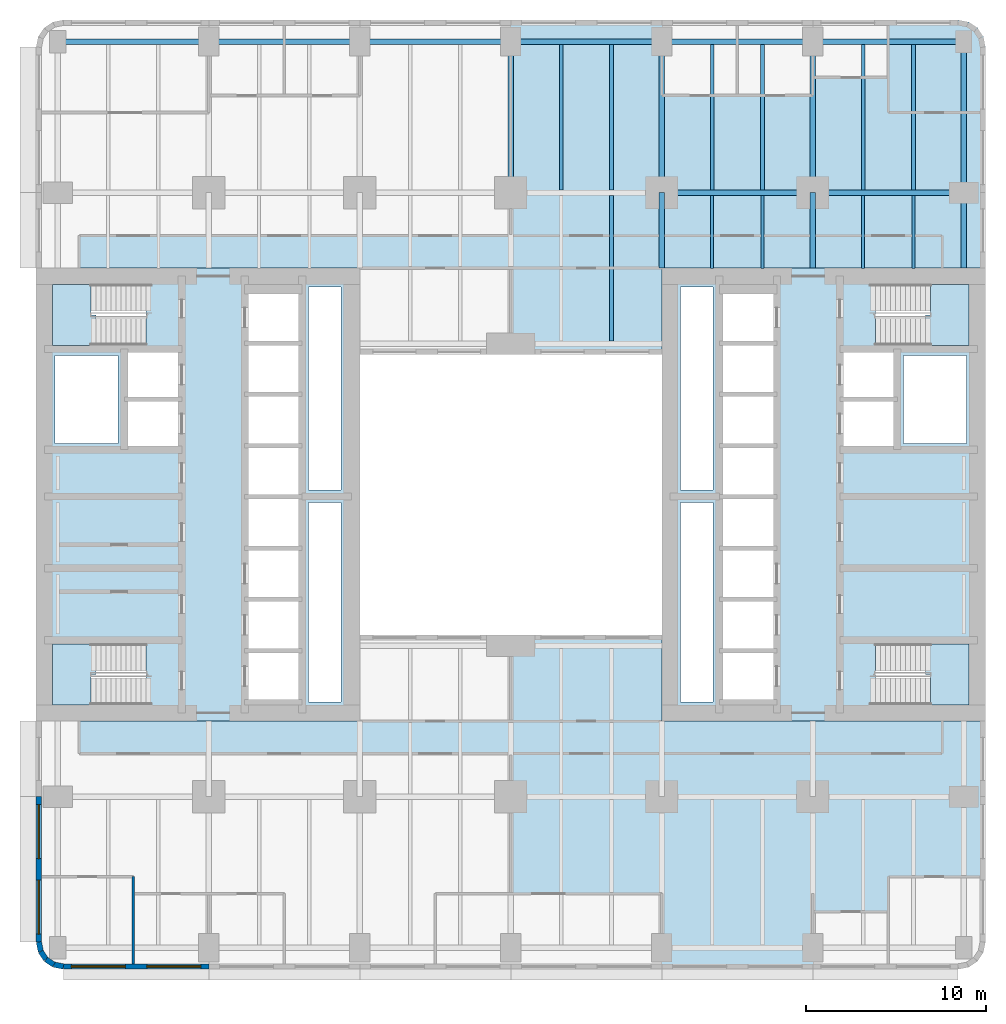
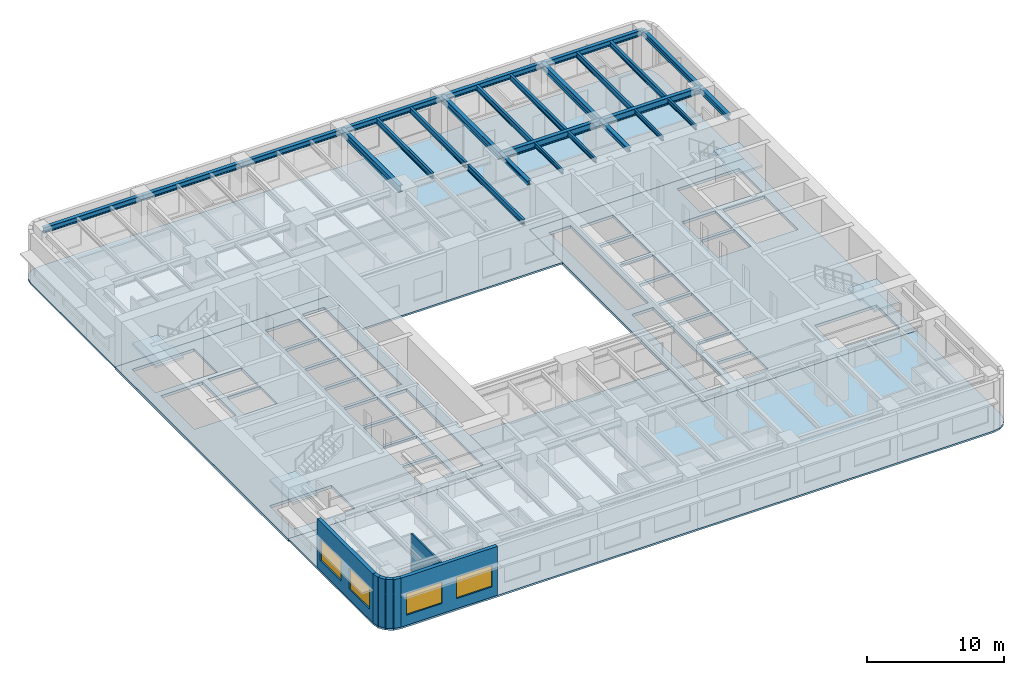
# One storey, part 2 of 12: 26 beams, 8 slabs, 7 walls, 4 windows, 4 openings, 4 elements without a shape of their own.
"""IFC4 building model written with IfcOpenShell, lengths in metres."""

from ifc_helpers import new_model, si_unit, direction, frame, frame_2d, origin, origin_2d, place, context, subcontext, project, spatial, polyline, rectangle, i_section, outline, extrude, material, layer, layer_set, material_profile, profile_set, type_object, element, fill, aggregate, save


model = new_model("IFC4")

# Units and contexts
model_context = context("Model", 3, precision=1e-05, world=origin(), true_north=direction((0.0, 1.0)))
body_context = subcontext(model_context, "Body", "Model", "MODEL_VIEW")
ifc_project = project(units=[si_unit("LENGTHUNIT", "METRE"), si_unit("AREAUNIT", "SQUARE_METRE"), si_unit("VOLUMEUNIT", "CUBIC_METRE"), si_unit("PLANEANGLEUNIT", "RADIAN"), si_unit("MASSUNIT", "GRAM", prefix="KILO")], contexts=[model_context])

# Site, building, storey
site_placement = place(None, origin())
site = spatial("IfcSite", under=ifc_project, at=site_placement, CompositionType="ELEMENT")
building_placement = place(site_placement, origin())
building = spatial("IfcBuilding", under=site, at=building_placement, Name="Claustro Exchange Tower", CompositionType="ELEMENT")
storey_placement = place(building_placement, frame((0.0, 0.0, 50.39990234375)))
storey = spatial("IfcBuildingStorey", under=building, at=storey_placement, Name="L11", CompositionType="ELEMENT", Elevation=50.39990234375)

# Beams
ifc_material_1 = material(Name="Steel S355", Category="steel")
ifc_material_profile_1 = material_profile(ifc_material_1, i_section(OverallWidth=0.300048828125, OverallDepth=0.60009765625, WebThickness=0.015380859375, FlangeThickness=0.030029296875, FilletRadius=0.027099609375, at=origin_2d()), Name="HE 600 B")
ifc_profile_set_1 = profile_set([ifc_material_profile_1], Name="Steel S355")
beam_type_1 = type_object("IfcBeamType", Name="B1 HE 600 B floor girder", PredefinedType="BEAM", material=ifc_profile_set_1)
for number, where, z_axis, x_axis, name in (
    (1, (25.199951171875, 42.0, 4.0400390625), (0.0, 1.0, 0.0), (-1.0, 0.0, 0.0), "Beam B1 L12"),
    (2, (33.60009765625, 42.0, 4.0400390625), (0.0, 1.0, 0.0), (-1.0, 0.0, 0.0), "Beam B1 L12"),
    (3, (42.0, 42.0, 4.0400390625), (0.0, 1.0, 0.0), (-1.0, 0.0, 0.0), "Beam B1 L12"),
    (4, (33.60009765625, 42.0, 4.0400390625), (1.0, 0.0, 0.0), (0.0, 1.0, 0.0), "Beam B1 L12"),
    (5, (42.0, 42.0, 4.0400390625), (1.0, 0.0, 0.0), (0.0, 1.0, 0.0), "Beam B1 L12"),
):
    element("IfcBeam", number, at=place(storey_placement, frame(where, z_axis=z_axis, x_axis=x_axis)), inside=storey, type_object=beam_type_1, Name=name, PredefinedType="BEAM", context=body_context, shape_type="SweptSolid", body=[
        extrude(i_section(OverallWidth=0.300048828125, OverallDepth=0.60009765625, WebThickness=0.015380859375, FlangeThickness=0.030029296875, FilletRadius=0.027099609375, at=origin_2d()), origin(), (0.0, 0.0, 1.0), 8.39990234375),
    ])
ifc_material_2 = material(Name="Steel S355", Category="steel")
ifc_material_profile_2 = material_profile(ifc_material_2, i_section(OverallWidth=0.169921875, OverallDepth=0.360107421875, WebThickness=0.008056640625, FlangeThickness=0.0126953125, FilletRadius=0.01806640625, at=origin_2d()), Name="IPE 360")
ifc_profile_set_2 = profile_set([ifc_material_profile_2], Name="Steel S355")
beam_type_2 = type_object("IfcBeamType", Name="B16 IPE 360 short-span beam", PredefinedType="BEAM", material=ifc_profile_set_2)
for number, where, z_axis, x_axis, name in (
    (6, (36.39990234375, 37.7900390625, 4.16015625), (0.0, 1.0, 0.0), (-1.0, 0.0, 0.0), "Beam B16 L12"),
    (7, (39.199951171875, 37.7900390625, 4.16015625), (0.0, 1.0, 0.0), (-1.0, 0.0, 0.0), "Beam B16 L12"),
    (8, (44.800048828125, 37.7900390625, 4.16015625), (0.0, 1.0, 0.0), (-1.0, 0.0, 0.0), "Beam B16 L12"),
    (9, (47.60009765625, 37.7900390625, 4.16015625), (0.0, 1.0, 0.0), (-1.0, 0.0, 0.0), "Beam B16 L12"),
):
    element("IfcBeam", number, at=place(storey_placement, frame(where, z_axis=z_axis, x_axis=x_axis)), inside=storey, type_object=beam_type_2, Name=name, PredefinedType="BEAM", context=body_context, shape_type="SweptSolid", body=[
        extrude(i_section(OverallWidth=0.169921875, OverallDepth=0.360107421875, WebThickness=0.008056640625, FlangeThickness=0.0126953125, FilletRadius=0.01806640625, at=origin_2d()), origin(), (0.0, 0.0, 1.0), 4.06005859375),
    ])
ifc_material_3 = material(Name="Steel S355", Category="steel")
ifc_material_profile_3 = material_profile(ifc_material_3, i_section(OverallWidth=0.199951171875, OverallDepth=0.5, WebThickness=0.01025390625, FlangeThickness=0.01611328125, FilletRadius=0.02099609375, at=origin_2d()), Name="IPE 500")
ifc_profile_set_3 = profile_set([ifc_material_profile_3], Name="Steel S355")
beam_type_3 = type_object("IfcBeamType", Name="B2 IPE 500 secondary beam", PredefinedType="BEAM", material=ifc_profile_set_3)
for number, where, z_axis, x_axis, name in (
    (10, (30.800048828125, 33.75, 4.090087890625), (0.0, 1.0, 0.0), (-1.0, 0.0, 0.0), "Beam B2 L12"),
    (11, (28.0, 42.14990234375, 4.090087890625), (0.0, 1.0, 0.0), (-1.0, 0.0, 0.0), "Beam B2 L12"),
    (12, (30.800048828125, 42.14990234375, 4.090087890625), (0.0, 1.0, 0.0), (-1.0, 0.0, 0.0), "Beam B2 L12"),
    (13, (36.39990234375, 42.14990234375, 4.090087890625), (0.0, 1.0, 0.0), (-1.0, 0.0, 0.0), "Beam B2 L12"),
    (14, (39.199951171875, 42.14990234375, 4.090087890625), (0.0, 1.0, 0.0), (-1.0, 0.0, 0.0), "Beam B2 L12"),
    (15, (44.800048828125, 42.14990234375, 4.090087890625), (0.0, 1.0, 0.0), (-1.0, 0.0, 0.0), "Beam B2 L12"),
    (16, (47.60009765625, 42.14990234375, 4.090087890625), (0.0, 1.0, 0.0), (-1.0, 0.0, 0.0), "Beam B2 L12"),
):
    element("IfcBeam", number, at=place(storey_placement, frame(where, z_axis=z_axis, x_axis=x_axis)), inside=storey, type_object=beam_type_3, Name=name, PredefinedType="BEAM", context=body_context, shape_type="SweptSolid", body=[
        extrude(i_section(OverallWidth=0.199951171875, OverallDepth=0.5, WebThickness=0.01025390625, FlangeThickness=0.01611328125, FilletRadius=0.02099609375, at=origin_2d()), origin(), (0.0, 0.0, 1.0), 8.10009765625),
    ])
ifc_material_4 = material(Name="Steel S355", Category="steel")
ifc_material_profile_4 = material_profile(ifc_material_4, i_section(OverallWidth=0.300048828125, OverallDepth=0.360107421875, WebThickness=0.012451171875, FlangeThickness=0.0224609375, FilletRadius=0.027099609375, at=origin_2d()), Name="HE 360 B")
ifc_profile_set_4 = profile_set([ifc_material_profile_4], Name="Steel S355")
beam_type_4 = type_object("IfcBeamType", Name="B29 HE 360 B column to core link beam", PredefinedType="BEAM", material=ifc_profile_set_4)
for number, where, z_axis, x_axis, name in (
    (17, (33.60009765625, 37.800048828125, 4.16015625), (0.0, 1.0, 0.0), (-1.0, 0.0, 0.0), "Beam B29 L12"),
    (18, (42.0, 37.800048828125, 4.16015625), (0.0, 1.0, 0.0), (-1.0, 0.0, 0.0), "Beam B29 L12"),
):
    element("IfcBeam", number, at=place(storey_placement, frame(where, z_axis=z_axis, x_axis=x_axis)), inside=storey, type_object=beam_type_4, Name=name, PredefinedType="BEAM", context=body_context, shape_type="SweptSolid", body=[
        extrude(i_section(OverallWidth=0.300048828125, OverallDepth=0.360107421875, WebThickness=0.012451171875, FlangeThickness=0.0224609375, FilletRadius=0.027099609375, at=origin_2d()), origin(), (0.0, 0.0, 1.0), 4.199951171875),
    ])
ifc_material_5 = material(Name="Steel S355", Category="steel")
ifc_material_profile_5 = material_profile(ifc_material_5, i_section(OverallWidth=0.300048828125, OverallDepth=0.5, WebThickness=0.014404296875, FlangeThickness=0.028076171875, FilletRadius=0.027099609375, at=origin_2d()), Name="HE 500 B")
ifc_profile_set_5 = profile_set([ifc_material_profile_5], Name="Steel S355")
beam_type_5 = type_object("IfcBeamType", Name="B3 HE 500 B spandrel edge girder", PredefinedType="SPANDREL", material=ifc_profile_set_5)
beam_1_placement = place(storey_placement, frame((50.39990234375, 37.800048828125, 4.090087890625), z_axis=(0.0, 1.0, 0.0), x_axis=(-1.0, 0.0, 0.0)))
element("IfcBeam", 19, at=beam_1_placement, inside=storey, type_object=beam_type_5, Name="Beam B3 L12", PredefinedType="SPANDREL", context=body_context, shape_type="SweptSolid", body=[
    extrude(i_section(OverallWidth=0.300048828125, OverallDepth=0.5, WebThickness=0.014404296875, FlangeThickness=0.028076171875, FilletRadius=0.027099609375, at=origin_2d()), origin(), (0.0, 0.0, 1.0), 4.199951171875),
])
for number, where, z_axis, x_axis, name in (
    (20, (50.39990234375, 42.0, 4.090087890625), (0.0, 1.0, 0.0), (-1.0, 0.0, 0.0), "Beam B3 L12"),
    (21, (0.0, 50.39990234375, 4.090087890625), (1.0, 0.0, 0.0), (0.0, 1.0, 0.0), "Beam B3 L12"),
):
    element("IfcBeam", number, at=place(storey_placement, frame(where, z_axis=z_axis, x_axis=x_axis)), inside=storey, type_object=beam_type_5, Name=name, PredefinedType="SPANDREL", context=body_context, shape_type="SweptSolid", body=[
        extrude(i_section(OverallWidth=0.300048828125, OverallDepth=0.5, WebThickness=0.014404296875, FlangeThickness=0.028076171875, FilletRadius=0.027099609375, at=origin_2d()), origin(), (0.0, 0.0, 1.0), 8.39990234375),
    ])
beam_2_placement = place(storey_placement, frame((8.39990234375, 50.39990234375, 4.090087890625), z_axis=(1.0, 0.0, 0.0), x_axis=(0.0, 1.0, 0.0)))
element("IfcBeam", 22, at=beam_2_placement, inside=storey, type_object=beam_type_5, Name="Beam B3 L12", PredefinedType="SPANDREL", context=body_context, shape_type="SweptSolid", body=[
    extrude(i_section(OverallWidth=0.300048828125, OverallDepth=0.5, WebThickness=0.014404296875, FlangeThickness=0.028076171875, FilletRadius=0.027099609375, at=origin_2d()), origin(), (0.0, 0.0, 1.0), 8.400146484375),
])
beam_3_placement = place(storey_placement, frame((16.800048828125, 50.39990234375, 4.090087890625), z_axis=(1.0, 0.0, 0.0), x_axis=(0.0, 1.0, 0.0)))
element("IfcBeam", 23, at=beam_3_placement, inside=storey, type_object=beam_type_5, Name="Beam B3 L12", PredefinedType="SPANDREL", context=body_context, shape_type="SweptSolid", body=[
    extrude(i_section(OverallWidth=0.300048828125, OverallDepth=0.5, WebThickness=0.014404296875, FlangeThickness=0.028076171875, FilletRadius=0.027099609375, at=origin_2d()), origin(), (0.0, 0.0, 1.0), 8.39990234375),
])
beam_4_placement = place(storey_placement, frame((25.199951171875, 50.39990234375, 4.090087890625), z_axis=(1.0, 0.0, 0.0), x_axis=(0.0, 1.0, 0.0)))
element("IfcBeam", 24, at=beam_4_placement, inside=storey, type_object=beam_type_5, Name="Beam B3 L12", PredefinedType="SPANDREL", context=body_context, shape_type="SweptSolid", body=[
    extrude(i_section(OverallWidth=0.300048828125, OverallDepth=0.5, WebThickness=0.014404296875, FlangeThickness=0.028076171875, FilletRadius=0.027099609375, at=origin_2d()), origin(), (0.0, 0.0, 1.0), 8.400146484375),
])
for number, where, z_axis, x_axis, name in (
    (25, (33.60009765625, 50.39990234375, 4.090087890625), (1.0, 0.0, 0.0), (0.0, 1.0, 0.0), "Beam B3 L12"),
    (26, (42.0, 50.39990234375, 4.090087890625), (1.0, 0.0, 0.0), (0.0, 1.0, 0.0), "Beam B3 L12"),
):
    element("IfcBeam", number, at=place(storey_placement, frame(where, z_axis=z_axis, x_axis=x_axis)), inside=storey, type_object=beam_type_5, Name=name, PredefinedType="SPANDREL", context=body_context, shape_type="SweptSolid", body=[
        extrude(i_section(OverallWidth=0.300048828125, OverallDepth=0.5, WebThickness=0.014404296875, FlangeThickness=0.028076171875, FilletRadius=0.027099609375, at=origin_2d()), origin(), (0.0, 0.0, 1.0), 8.39990234375),
    ])

# Slabs
ifc_material_6 = material(Name="Concrete HA-50 (C50/60)", Category="concrete")
ifc_layer_1 = layer(ifc_material_6, 0.159912109375)
ifc_layer_set_1 = layer_set([ifc_layer_1], Name="Concrete HA-50 (C50/60)")
slab_type_1 = type_object("IfcSlabType", Name="S1 160 composite floor slab", PredefinedType="FLOOR", material=ifc_layer_set_1)
slab_1_placement = place(storey_placement, frame((0.0, 0.0, -0.159912109375)))
element("IfcSlab", 27, at=slab_1_placement, inside=storey, type_object=slab_type_1, Name="Floor slab S1 S L11", PredefinedType="FLOOR", context=body_context, shape_type="SweptSolid", body=[
    extrude(outline(polyline([(-0.27392578125, -1.085693359375), (0.300048828125, -1.199951171875), (50.10009765625, -1.199951171875), (50.674072265625, -1.085693359375), (51.16064453125, -0.7607421875), (51.48583984375, -0.27392578125), (51.60009765625, 0.300048828125), (51.60009765625, 12.60009765625), (33.60009765625, 12.60009765625), (33.60009765625, 17.39990234375), (16.800048828125, 17.39990234375), (16.800048828125, 12.60009765625), (-1.199951171875, 12.60009765625), (-1.199951171875, 0.300048828125), (-1.085693359375, -0.27392578125), (-0.7607421875, -0.7607421875), (-0.27392578125, -1.085693359375)])), origin(), (0.0, 0.0, 1.0), 0.159912109375),
])
slab_2_placement = place(storey_placement, frame((0.0, 0.0, -0.159912109375)))
element("IfcSlab", 28, at=slab_2_placement, inside=storey, type_object=slab_type_1, Name="Floor slab S1 N L11", PredefinedType="FLOOR", context=body_context, shape_type="SweptSolid", body=[
    extrude(outline(polyline([(16.800048828125, 37.800048828125), (16.800048828125, 33.0), (33.60009765625, 33.0), (33.60009765625, 37.800048828125), (51.60009765625, 37.800048828125), (51.60009765625, 50.10009765625), (51.48583984375, 50.674072265625), (51.16064453125, 51.16064453125), (50.674072265625, 51.48583984375), (50.10009765625, 51.60009765625), (0.300048828125, 51.60009765625), (-0.27392578125, 51.48583984375), (-0.7607421875, 51.16064453125), (-1.085693359375, 50.674072265625), (-1.199951171875, 50.10009765625), (-1.199951171875, 37.800048828125), (16.800048828125, 37.800048828125)])), origin(), (0.0, 0.0, 1.0), 0.159912109375),
])
ifc_material_7 = material(Name="Concrete HA-50 (C50/60)", Category="concrete")
ifc_layer_2 = layer(ifc_material_7, 0.25)
ifc_layer_set_2 = layer_set([ifc_layer_2], Name="Concrete HA-50 (C50/60)")
slab_type_2 = type_object("IfcSlabType", Name="S7 250 core floor slab", PredefinedType="FLOOR", material=ifc_layer_set_2)
slab_3_placement = place(storey_placement, frame((0.0, 0.0, -0.25)))
element("IfcSlab", 29, at=slab_3_placement, inside=storey, type_object=slab_type_2, Name="Core floor slab S7 W core L11", PredefinedType="FLOOR", context=body_context, shape_type="SweptSolid", body=[
    extrude(outline(polyline([(-1.199951171875, 12.60009765625), (16.800048828125, 12.60009765625), (16.800048828125, 37.800048828125), (-1.199951171875, 37.800048828125), (-1.199951171875, 12.60009765625)]), holes=[polyline([(15.75, 24.75), (15.75, 13.64990234375), (13.949951171875, 13.64990234375), (13.949951171875, 24.75), (15.75, 24.75)]), polyline([(15.75, 36.75), (15.75, 25.449951171875), (13.949951171875, 25.449951171875), (13.949951171875, 36.75), (15.75, 36.75)]), polyline([(10.60009765625, 16.39990234375), (13.39990234375, 16.39990234375), (13.39990234375, 13.800048828125), (10.60009765625, 13.800048828125), (10.60009765625, 16.39990234375)]), polyline([(13.39990234375, 19.25), (13.39990234375, 16.64990234375), (10.60009765625, 16.64990234375), (10.60009765625, 19.25), (13.39990234375, 19.25)]), polyline([(13.39990234375, 22.10009765625), (13.39990234375, 19.5), (10.60009765625, 19.5), (10.60009765625, 22.10009765625), (13.39990234375, 22.10009765625)]), polyline([(13.39990234375, 24.949951171875), (13.39990234375, 22.35009765625), (10.60009765625, 22.35009765625), (10.60009765625, 24.949951171875), (13.39990234375, 24.949951171875)]), polyline([(13.39990234375, 27.800048828125), (13.39990234375, 25.199951171875), (10.60009765625, 25.199951171875), (10.60009765625, 27.800048828125), (13.39990234375, 27.800048828125)]), polyline([(13.39990234375, 30.64990234375), (13.39990234375, 28.050048828125), (10.60009765625, 28.050048828125), (10.60009765625, 30.64990234375), (13.39990234375, 30.64990234375)]), polyline([(13.39990234375, 33.5), (13.39990234375, 30.89990234375), (10.60009765625, 30.89990234375), (10.60009765625, 33.5), (13.39990234375, 33.5)]), polyline([(13.39990234375, 36.35009765625), (13.39990234375, 33.75), (10.60009765625, 33.75), (10.60009765625, 36.35009765625), (13.39990234375, 36.35009765625)]), polyline([(6.699951171875, 30.375), (6.699951171875, 27.89990234375), (3.89990234375, 27.89990234375), (3.89990234375, 30.375), (6.699951171875, 30.375)]), polyline([(6.699951171875, 33.10009765625), (6.699951171875, 30.625), (3.89990234375, 30.625), (3.89990234375, 33.10009765625), (6.699951171875, 33.10009765625)]), polyline([(-0.300048828125, 15.199951171875), (-0.300048828125, 16.89990234375), (4.9150390625, 16.89990234375), (4.9150390625, 15.199951171875), (4.919921875, 15.199951171875), (4.919921875, 13.5), (-0.300048828125, 13.5), (-0.300048828125, 15.199951171875)]), polyline([(-0.300048828125, 36.89990234375), (4.919921875, 36.89990234375), (4.919921875, 35.199951171875), (4.9150390625, 35.199951171875), (4.9150390625, 33.5), (-0.300048828125, 33.5), (-0.300048828125, 35.199951171875), (-0.300048828125, 36.89990234375)]), polyline([(3.35009765625, 32.949951171875), (3.35009765625, 28.050048828125), (-0.14990234375, 28.050048828125), (-0.14990234375, 32.949951171875), (3.35009765625, 32.949951171875)])]), origin(), (0.0, 0.0, 1.0), 0.25),
])
slab_4_placement = place(storey_placement, frame((0.0, 0.0, -0.25)))
element("IfcSlab", 30, at=slab_4_placement, inside=storey, type_object=slab_type_2, Name="Core floor slab S7 E core L11", PredefinedType="FLOOR", context=body_context, shape_type="SweptSolid", body=[
    extrude(outline(polyline([(33.60009765625, 12.60009765625), (51.60009765625, 12.60009765625), (51.60009765625, 37.800048828125), (33.60009765625, 37.800048828125), (33.60009765625, 12.60009765625)]), holes=[polyline([(45.47998046875, 35.199951171875), (45.47998046875, 36.89990234375), (50.699951171875, 36.89990234375), (50.699951171875, 35.199951171875), (50.699951171875, 33.5), (45.485107421875, 33.5), (45.485107421875, 35.199951171875), (45.47998046875, 35.199951171875)]), polyline([(45.485107421875, 15.199951171875), (45.485107421875, 16.89990234375), (50.699951171875, 16.89990234375), (50.699951171875, 15.199951171875), (50.699951171875, 13.5), (45.47998046875, 13.5), (45.47998046875, 15.199951171875), (45.485107421875, 15.199951171875)]), polyline([(50.550048828125, 32.949951171875), (50.550048828125, 28.050048828125), (47.050048828125, 28.050048828125), (47.050048828125, 32.949951171875), (50.550048828125, 32.949951171875)]), polyline([(46.5, 30.375), (46.5, 27.89990234375), (43.699951171875, 27.89990234375), (43.699951171875, 30.375), (46.5, 30.375)]), polyline([(46.5, 33.10009765625), (46.5, 30.625), (43.699951171875, 30.625), (43.699951171875, 33.10009765625), (46.5, 33.10009765625)]), polyline([(37.0, 16.39990234375), (39.800048828125, 16.39990234375), (39.800048828125, 13.800048828125), (37.0, 13.800048828125), (37.0, 16.39990234375)]), polyline([(39.800048828125, 19.25), (39.800048828125, 16.64990234375), (37.0, 16.64990234375), (37.0, 19.25), (39.800048828125, 19.25)]), polyline([(39.800048828125, 22.10009765625), (39.800048828125, 19.5), (37.0, 19.5), (37.0, 22.10009765625), (39.800048828125, 22.10009765625)]), polyline([(39.800048828125, 24.949951171875), (39.800048828125, 22.35009765625), (37.0, 22.35009765625), (37.0, 24.949951171875), (39.800048828125, 24.949951171875)]), polyline([(39.800048828125, 27.800048828125), (39.800048828125, 25.199951171875), (37.0, 25.199951171875), (37.0, 27.800048828125), (39.800048828125, 27.800048828125)]), polyline([(39.800048828125, 30.64990234375), (39.800048828125, 28.050048828125), (37.0, 28.050048828125), (37.0, 30.64990234375), (39.800048828125, 30.64990234375)]), polyline([(39.800048828125, 33.5), (39.800048828125, 30.89990234375), (37.0, 30.89990234375), (37.0, 33.5), (39.800048828125, 33.5)]), polyline([(39.800048828125, 36.35009765625), (39.800048828125, 33.75), (37.0, 33.75), (37.0, 36.35009765625), (39.800048828125, 36.35009765625)]), polyline([(36.449951171875, 24.75), (36.449951171875, 13.64990234375), (34.64990234375, 13.64990234375), (34.64990234375, 24.75), (36.449951171875, 24.75)]), polyline([(36.449951171875, 36.75), (36.449951171875, 25.449951171875), (34.64990234375, 25.449951171875), (34.64990234375, 36.75), (36.449951171875, 36.75)])]), origin(), (0.0, 0.0, 1.0), 0.25),
])

# Stair, slab
ifc_material_8 = material(Name="Concrete HA-30 (C30/37), precast", Category="concrete")
stair_type = type_object("IfcStairType", Name="ST2 half-turn stair, 25 risers of 180", PredefinedType="HALF_TURN_STAIR", material=ifc_material_8)
stair_1_placement = place(storey_placement, origin())
stair_1 = element("IfcStair", 31, at=stair_1_placement, inside=storey, type_object=stair_type, Name="Stair STWA L11", PredefinedType="HALF_TURN_STAIR")
ifc_material_9 = material(Name="Concrete HA-30 (C30/37), precast", Category="concrete")
ifc_layer_3 = layer(ifc_material_9, 0.199951171875)
ifc_layer_set_3 = layer_set([ifc_layer_3], Name="Concrete HA-30 (C30/37), precast")
slab_type_3 = type_object("IfcSlabType", Name="S9 200 stair landing", PredefinedType="LANDING", material=ifc_layer_set_3)
slab_5_placement = place(storey_placement, frame((0.0, 0.0, 2.14013671875)))
slab_5 = element("IfcSlab", 32, at=slab_5_placement, type_object=slab_type_3, Name="STWA landing 1", PredefinedType="LANDING", context=body_context, shape_type="SweptSolid", body=[
    extrude(outline(polyline([(1.844970703125, 13.5), (-0.300048828125, 13.5), (-0.300048828125, 16.89990234375), (1.840087890625, 16.89990234375), (1.844970703125, 16.89990234375), (2.1201171875, 16.89990234375), (2.1201171875, 15.199951171875), (1.844970703125, 15.199951171875), (1.844970703125, 13.5)])), origin(), (0.0, 0.0, 1.0), 0.199951171875),
])
aggregate(stair_1, [slab_5])

stair_2_placement = place(storey_placement, origin())
stair_2 = element("IfcStair", 33, at=stair_2_placement, inside=storey, type_object=stair_type, Name="Stair STWB L11", PredefinedType="HALF_TURN_STAIR")
slab_6_placement = place(storey_placement, frame((0.0, 0.0, 2.14013671875)))
slab_6 = element("IfcSlab", 34, at=slab_6_placement, type_object=slab_type_3, Name="STWB landing 1", PredefinedType="LANDING", context=body_context, shape_type="SweptSolid", body=[
    extrude(outline(polyline([(2.1201171875, 35.199951171875), (2.1201171875, 33.5), (1.844970703125, 33.5), (1.840087890625, 33.5), (-0.300048828125, 33.5), (-0.300048828125, 36.89990234375), (1.844970703125, 36.89990234375), (1.844970703125, 35.199951171875), (2.1201171875, 35.199951171875)])), origin(), (0.0, 0.0, 1.0), 0.199951171875),
])
aggregate(stair_2, [slab_6])

stair_3_placement = place(storey_placement, origin())
stair_3 = element("IfcStair", 35, at=stair_3_placement, inside=storey, type_object=stair_type, Name="Stair STEA L11", PredefinedType="HALF_TURN_STAIR")
slab_7_placement = place(storey_placement, frame((0.0, 0.0, 2.14013671875)))
slab_7 = element("IfcSlab", 36, at=slab_7_placement, type_object=slab_type_3, Name="STEA landing 1", PredefinedType="LANDING", context=body_context, shape_type="SweptSolid", body=[
    extrude(outline(polyline([(50.699951171875, 16.89990234375), (50.699951171875, 13.5), (48.554931640625, 13.5), (48.554931640625, 15.199951171875), (48.280029296875, 15.199951171875), (48.280029296875, 16.89990234375), (48.554931640625, 16.89990234375), (48.56005859375, 16.89990234375), (50.699951171875, 16.89990234375)])), origin(), (0.0, 0.0, 1.0), 0.199951171875),
])
aggregate(stair_3, [slab_7])

stair_4_placement = place(storey_placement, origin())
stair_4 = element("IfcStair", 37, at=stair_4_placement, inside=storey, type_object=stair_type, Name="Stair STEB L11", PredefinedType="HALF_TURN_STAIR")
slab_8_placement = place(storey_placement, frame((0.0, 0.0, 2.14013671875)))
slab_8 = element("IfcSlab", 38, at=slab_8_placement, type_object=slab_type_3, Name="STEB landing 1", PredefinedType="LANDING", context=body_context, shape_type="SweptSolid", body=[
    extrude(outline(polyline([(48.280029296875, 33.5), (48.280029296875, 35.199951171875), (48.554931640625, 35.199951171875), (48.554931640625, 36.89990234375), (50.699951171875, 36.89990234375), (50.699951171875, 33.5), (48.56005859375, 33.5), (48.554931640625, 33.5), (48.280029296875, 33.5)])), origin(), (0.0, 0.0, 1.0), 0.199951171875),
])
aggregate(stair_4, [slab_8])

# Wall
ifc_material_10 = material(Name="Gypsum board on steel studs", Category="steel")
ifc_layer_4 = layer(ifc_material_10, 0.14990234375)
ifc_layer_set_4 = layer_set([ifc_layer_4], Name="Gypsum board on steel studs")
wall_type_1 = type_object("IfcWallType", Name="P1 150 plasterboard partition", PredefinedType="PARTITIONING", material=ifc_layer_set_4)
wall_1_placement = place(storey_placement, frame((4.199951171875, -0.902099609375, 0.0), z_axis=(0.0, 0.0, 1.0), x_axis=(0.0, 1.0, 0.0)))
element("IfcWall", 39, at=wall_1_placement, inside=storey, type_object=wall_type_1, Name="Partition P1 L11", PredefinedType="PARTITIONING", context=body_context, shape_type="SweptSolid", body=[
    extrude(rectangle(XDim=4.85205078125, YDim=0.14990234375, at=frame_2d((2.426025390625, 0.0))), origin(), (0.0, 0.0, 1.0), 3.840087890625),
])

# Wall, openings, windows
ifc_material_11 = material(Name="Concrete HA-40 (C40/50), precast, white cement, acid-etched", Category="concrete")
ifc_layer_5 = layer(ifc_material_11, 0.300048828125)
ifc_layer_set_5 = layer_set([ifc_layer_5], Name="Concrete HA-40 (C40/50), precast, white cement, acid-etched")
wall_type_2 = type_object("IfcWallType", Name="PC1 300 precast concrete pier panel", PredefinedType="SOLIDWALL", material=ifc_layer_set_5)
wall_2_placement = place(storey_placement, frame((8.39990234375, -1.050048828125, 0.0), z_axis=(0.0, 0.0, 1.0), x_axis=(-1.0, 0.0, 0.0)))
wall_2 = element("IfcWall", 40, at=wall_2_placement, inside=storey, type_object=wall_type_2, Name="Precast pier panel PC1 L11", PredefinedType="SOLIDWALL", context=body_context, shape_type="SweptSolid", body=[
    extrude(rectangle(XDim=8.085205078125, YDim=0.300048828125, at=frame_2d((4.04248046875, 0.0))), origin(), (0.0, 0.0, 1.0), 4.340087890625),
])
opening_1_placement = place(wall_2_placement, frame((0.442626953125, 0.0, 0.89990234375)))
opening_1 = element("IfcOpeningElement", 41, at=opening_1_placement, cuts=wall_2, Name="Opening W1", PredefinedType="OPENING", context=body_context, shape_type="SweptSolid", body=[
    extrude(rectangle(XDim=3.0, YDim=1.89990234375, at=frame_2d((1.5, 0.949951171875))), frame((0.0, 0.159912109375, 0.0), z_axis=(0.0, -1.0, 0.0), x_axis=(1.0, 0.0, 0.0)), (0.0, 0.0, 1.0), 0.320068359375),
])
opening_2_placement = place(wall_2_placement, frame((4.642578125, 0.0, 0.89990234375)))
opening_2 = element("IfcOpeningElement", 42, at=opening_2_placement, cuts=wall_2, Name="Opening W1", PredefinedType="OPENING", context=body_context, shape_type="SweptSolid", body=[
    extrude(rectangle(XDim=3.0, YDim=1.89990234375, at=frame_2d((1.5, 0.949951171875))), frame((0.0, 0.159912109375, 0.0), z_axis=(0.0, -1.0, 0.0), x_axis=(1.0, 0.0, 0.0)), (0.0, 0.0, 1.0), 0.320068359375),
])
ifc_material_12 = material(Name="Aluminium frame, clear double glazing", Category="aluminium")
window_type = type_object("IfcWindowType", Name="W1 3000 x 1900 window", PartitioningType="SINGLE_PANEL", PredefinedType="WINDOW", material=ifc_material_12)
window_1_placement = place(opening_1_placement, origin())
window_1 = element("IfcWindow", 43, at=window_1_placement, inside=storey, type_object=window_type, Name="Window W1 L11", OverallHeight=1.89990234375, OverallWidth=3.0, PartitioningType="SINGLE_PANEL", PredefinedType="WINDOW", context=body_context, shape_type="SweptSolid", body=[
    extrude(rectangle(XDim=3.0, YDim=1.89990234375, at=frame_2d((1.5, 0.949951171875))), frame((0.0, 0.030029296875, 0.0), z_axis=(0.0, -1.0, 0.0), x_axis=(1.0, 0.0, 0.0)), (0.0, 0.0, 1.0), 0.06005859375),
])
fill(opening_1, window_1)
window_2_placement = place(opening_2_placement, origin())
window_2 = element("IfcWindow", 44, at=window_2_placement, inside=storey, type_object=window_type, Name="Window W1 L11", OverallHeight=1.89990234375, OverallWidth=3.0, PartitioningType="SINGLE_PANEL", PredefinedType="WINDOW", context=body_context, shape_type="SweptSolid", body=[
    extrude(rectangle(XDim=3.0, YDim=1.89990234375, at=frame_2d((1.5, 0.949951171875))), frame((0.0, 0.030029296875, 0.0), z_axis=(0.0, -1.0, 0.0), x_axis=(1.0, 0.0, 0.0)), (0.0, 0.0, 1.0), 0.06005859375),
])
fill(opening_2, window_2)

# Walls
wall_3_placement = place(storey_placement, frame((0.314697265625, -1.050048828125, 0.0), z_axis=(0.0, 0.0, 1.0), x_axis=(-0.980788534345, 0.195073962632, 0.0)))
element("IfcWall", 45, at=wall_3_placement, inside=storey, type_object=wall_type_2, Name="Precast pier panel PC1 L11", PredefinedType="SOLIDWALL", context=body_context, shape_type="SweptSolid", body=[
    extrude(rectangle(XDim=0.540771484375, YDim=0.300048828125, at=frame_2d((0.2705078125, 0.0))), origin(), (0.0, 0.0, 1.0), 4.340087890625),
])
for number, where, z_axis, x_axis, name in (
    (46, (-0.215576171875, -0.944580078125, 0.0), (0.0, 0.0, 1.0), (-0.831478144188, 0.555557463938, 0.0), "Precast pier panel PC1 L11"),
    (47, (-0.652587890625, -0.652587890625, 0.0), (0.0, 0.0, 1.0), (-0.555557463938, 0.831478144188, 0.0), "Precast pier panel PC1 L11"),
):
    element("IfcWall", number, at=place(storey_placement, frame(where, z_axis=z_axis, x_axis=x_axis)), inside=storey, type_object=wall_type_2, Name=name, PredefinedType="SOLIDWALL", context=body_context, shape_type="SweptSolid", body=[
        extrude(rectangle(XDim=0.525634765625, YDim=0.300048828125, at=frame_2d((0.2626953125, 0.0))), origin(), (0.0, 0.0, 1.0), 4.340087890625),
    ])
wall_4_placement = place(storey_placement, frame((-0.944580078125, -0.215576171875, 0.0), z_axis=(0.0, 0.0, 1.0), x_axis=(-0.195073962632, 0.980788534345, 0.0)))
element("IfcWall", 48, at=wall_4_placement, inside=storey, type_object=wall_type_2, Name="Precast pier panel PC1 L11", PredefinedType="SOLIDWALL", context=body_context, shape_type="SweptSolid", body=[
    extrude(rectangle(XDim=0.540771484375, YDim=0.300048828125, at=frame_2d((0.2705078125, 0.0))), origin(), (0.0, 0.0, 1.0), 4.340087890625),
])

# Wall, openings, windows
wall_5_placement = place(storey_placement, frame((-1.050048828125, 0.314697265625, 0.0), z_axis=(0.0, 0.0, 1.0), x_axis=(0.0, 1.0, 0.0)))
wall_5 = element("IfcWall", 49, at=wall_5_placement, inside=storey, type_object=wall_type_2, Name="Precast pier panel PC1 L11", PredefinedType="SOLIDWALL", context=body_context, shape_type="SweptSolid", body=[
    extrude(rectangle(XDim=8.085205078125, YDim=0.300048828125, at=frame_2d((4.04248046875, 0.0))), origin(), (0.0, 0.0, 1.0), 4.340087890625),
])
opening_3_placement = place(wall_5_placement, frame((0.442626953125, 0.0, 0.89990234375)))
opening_3 = element("IfcOpeningElement", 50, at=opening_3_placement, cuts=wall_5, Name="Opening W1", PredefinedType="OPENING", context=body_context, shape_type="SweptSolid", body=[
    extrude(rectangle(XDim=3.0, YDim=1.89990234375, at=frame_2d((1.5, 0.949951171875))), frame((0.0, 0.159912109375, 0.0), z_axis=(0.0, -1.0, 0.0), x_axis=(1.0, 0.0, 0.0)), (0.0, 0.0, 1.0), 0.320068359375),
])
opening_4_placement = place(wall_5_placement, frame((4.642578125, 0.0, 0.89990234375)))
opening_4 = element("IfcOpeningElement", 51, at=opening_4_placement, cuts=wall_5, Name="Opening W1", PredefinedType="OPENING", context=body_context, shape_type="SweptSolid", body=[
    extrude(rectangle(XDim=3.0, YDim=1.89990234375, at=frame_2d((1.5, 0.949951171875))), frame((0.0, 0.159912109375, 0.0), z_axis=(0.0, -1.0, 0.0), x_axis=(1.0, 0.0, 0.0)), (0.0, 0.0, 1.0), 0.320068359375),
])
window_3_placement = place(opening_3_placement, origin())
window_3 = element("IfcWindow", 52, at=window_3_placement, inside=storey, type_object=window_type, Name="Window W1 L11", OverallHeight=1.89990234375, OverallWidth=3.0, PartitioningType="SINGLE_PANEL", PredefinedType="WINDOW", context=body_context, shape_type="SweptSolid", body=[
    extrude(rectangle(XDim=3.0, YDim=1.89990234375, at=frame_2d((1.5, 0.949951171875))), frame((0.0, 0.030029296875, 0.0), z_axis=(0.0, -1.0, 0.0), x_axis=(1.0, 0.0, 0.0)), (0.0, 0.0, 1.0), 0.06005859375),
])
fill(opening_3, window_3)
window_4_placement = place(opening_4_placement, origin())
window_4 = element("IfcWindow", 53, at=window_4_placement, inside=storey, type_object=window_type, Name="Window W1 L11", OverallHeight=1.89990234375, OverallWidth=3.0, PartitioningType="SINGLE_PANEL", PredefinedType="WINDOW", context=body_context, shape_type="SweptSolid", body=[
    extrude(rectangle(XDim=3.0, YDim=1.89990234375, at=frame_2d((1.5, 0.949951171875))), frame((0.0, 0.030029296875, 0.0), z_axis=(0.0, -1.0, 0.0), x_axis=(1.0, 0.0, 0.0)), (0.0, 0.0, 1.0), 0.06005859375),
])
fill(opening_4, window_4)

save(model, "model.ifc")
